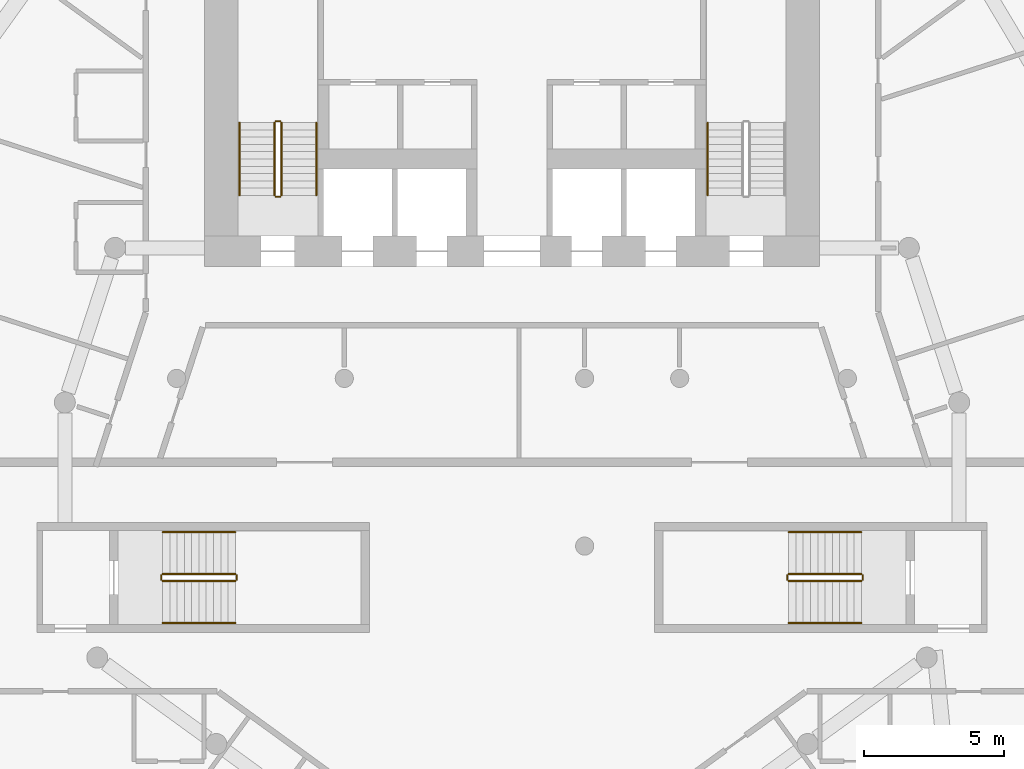
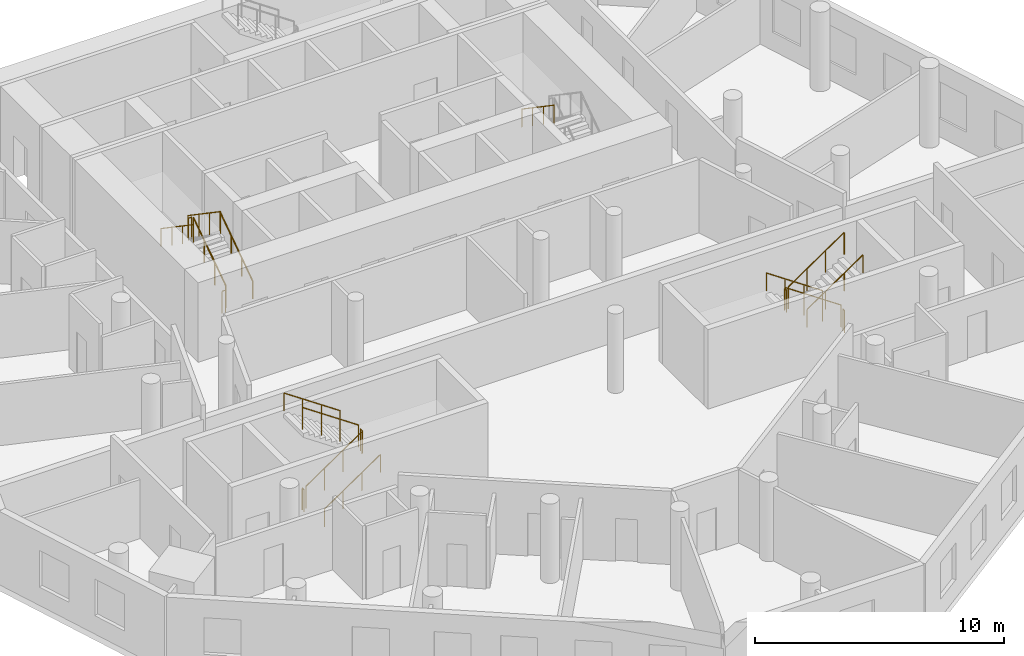
# One storey, part 8 of 9: 19 railings.
"""IFC4 building model written with IfcOpenShell, lengths in metres."""

from ifc_helpers import new_model, si_unit, direction, frame, origin, origin_2d, place, context, subcontext, project, spatial, circle, extrude, material, type_object, element, save


model = new_model("IFC4")

# Units and contexts
model_context = context("Model", 3, precision=1e-05, world=origin(), true_north=direction((0.0, 1.0)))
body_context = subcontext(model_context, "Body", "Model", "MODEL_VIEW")
ifc_project = project(units=[si_unit("LENGTHUNIT", "METRE"), si_unit("AREAUNIT", "SQUARE_METRE"), si_unit("VOLUMEUNIT", "CUBIC_METRE"), si_unit("PLANEANGLEUNIT", "RADIAN"), si_unit("MASSUNIT", "GRAM", prefix="KILO")], contexts=[model_context])

# Site, building, storey
site_placement = place(None, origin())
site = spatial("IfcSite", under=ifc_project, at=site_placement, CompositionType="ELEMENT")
building_placement = place(site_placement, origin())
building = spatial("IfcBuilding", under=site, at=building_placement, Name="White Candle Pilgrim Tower", CompositionType="ELEMENT")
storey_placement = place(building_placement, frame((0.0, 0.0, 118.10009765625)))
storey = spatial("IfcBuildingStorey", under=building, at=storey_placement, Name="L26", CompositionType="ELEMENT", Elevation=118.10009765625)

# Railings
ifc_material = material(Name="Stainless steel", Category="steel")
railing_type_1 = type_object("IfcRailingType", Name="Stair guard stainless steel 1100 mm", PredefinedType="GUARDRAIL", material=ifc_material)
railing_1_placement = place(storey_placement, frame((61.75, 73.550048828125, 0.17724609375)))
element("IfcRailing", 1, at=railing_1_placement, inside=storey, type_object=railing_type_1, Name="L26 ST1 stair guard 1", PredefinedType="GUARDRAIL", context=body_context, shape_type="SweptSolid", body=[
    extrude(circle(Radius=0.02392578125, at=origin_2d()), frame((0.0, 0.0, 1.076171875), z_axis=(0.0, 0.826215852431, 0.563353676824), x_axis=(-1.0, 0.0, 0.0)), (0.0, 0.0, 1.0), 3.146728515625),
    extrude(circle(Radius=0.02099609375, at=origin_2d()), origin(), (0.0, 0.0, 1.0), 1.052001953125),
    extrude(circle(Radius=0.02099609375, at=origin_2d()), frame((0.0, 0.86669921875, 0.5908203125)), (0.0, 0.0, 1.0), 1.052001953125),
    extrude(circle(Radius=0.02099609375, at=origin_2d()), frame((0.0, 1.733154296875, 1.181884765625)), (0.0, 0.0, 1.0), 1.052001953125),
    extrude(circle(Radius=0.02099609375, at=origin_2d()), frame((0.0, 2.599853515625, 1.772705078125)), (0.0, 0.0, 1.0), 1.052001953125),
])
railing_2_placement = place(storey_placement, frame((61.699951171875, 76.199951171875, 1.949951171875)))
element("IfcRailing", 2, at=railing_2_placement, inside=storey, type_object=railing_type_1, Name="L26 ST1 stair guard 2", PredefinedType="GUARDRAIL", context=body_context, shape_type="SweptSolid", body=[
    extrude(circle(Radius=0.02392578125, at=origin_2d()), frame((0.0, 0.0, 1.076171875), z_axis=(-1.0, 0.0, 0.0), x_axis=(0.0, -1.0, 0.0)), (0.0, 0.0, 1.0), 0.14990234375),
    extrude(circle(Radius=0.02099609375, at=origin_2d()), origin(), (0.0, 0.0, 1.0), 1.052001953125),
    extrude(circle(Radius=0.02099609375, at=origin_2d()), frame((-0.14990234375, 0.0, 0.0)), (0.0, 0.0, 1.0), 1.052001953125),
])
railing_3_placement = place(storey_placement, frame((61.5, 76.14990234375, 2.127197265625)))
element("IfcRailing", 3, at=railing_3_placement, inside=storey, type_object=railing_type_1, Name="L26 ST1 stair guard 3", PredefinedType="GUARDRAIL", context=body_context, shape_type="SweptSolid", body=[
    extrude(circle(Radius=0.02392578125, at=origin_2d()), frame((0.0, 0.0, 1.076171875), z_axis=(0.0, -0.826215852431, 0.563353676824), x_axis=(1.0, 0.0, 0.0)), (0.0, 0.0, 1.0), 3.146728515625),
    extrude(circle(Radius=0.02099609375, at=origin_2d()), origin(), (0.0, 0.0, 1.0), 1.052001953125),
    extrude(circle(Radius=0.02099609375, at=origin_2d()), frame((0.0, -0.86669921875, 0.5908203125)), (0.0, 0.0, 1.0), 1.052001953125),
    extrude(circle(Radius=0.02099609375, at=origin_2d()), frame((0.0, -1.733154296875, 1.181884765625)), (0.0, 0.0, 1.0), 1.052001953125),
    extrude(circle(Radius=0.02099609375, at=origin_2d()), frame((0.0, -2.599853515625, 1.772705078125)), (0.0, 0.0, 1.0), 1.052001953125),
])
railing_4_placement = place(storey_placement, frame((61.699951171875, 73.5, 0.0)))
element("IfcRailing", 4, at=railing_4_placement, inside=storey, type_object=railing_type_1, Name="L26 ST1 stair guard 4", PredefinedType="GUARDRAIL", context=body_context, shape_type="SweptSolid", body=[
    extrude(circle(Radius=0.02392578125, at=origin_2d()), frame((0.0, 0.0, 1.076171875), z_axis=(-1.0, 0.0, 0.0), x_axis=(0.0, -1.0, 0.0)), (0.0, 0.0, 1.0), 0.14990234375),
    extrude(circle(Radius=0.02099609375, at=origin_2d()), origin(), (0.0, 0.0, 1.0), 1.052001953125),
    extrude(circle(Radius=0.02099609375, at=origin_2d()), frame((-0.14990234375, 0.0, 0.0)), (0.0, 0.0, 1.0), 1.052001953125),
])
railing_5_placement = place(storey_placement, frame((82.5, 60.0, 0.17724609375)))
element("IfcRailing", 5, at=railing_5_placement, inside=storey, type_object=railing_type_1, Name="L26 ST4 stair guard 1", PredefinedType="GUARDRAIL", context=body_context, shape_type="SweptSolid", body=[
    extrude(circle(Radius=0.02392578125, at=origin_2d()), frame((0.0, 0.0, 1.076171875), z_axis=(-0.826240473404, 0.0, 0.563317565952), x_axis=(0.0, -1.0, 0.0)), (0.0, 0.0, 1.0), 3.14697265625),
    extrude(circle(Radius=0.02099609375, at=origin_2d()), origin(), (0.0, 0.0, 1.0), 1.052001953125),
    extrude(circle(Radius=0.02099609375, at=origin_2d()), frame((-0.86669921875, 0.0, 0.5908203125)), (0.0, 0.0, 1.0), 1.052001953125),
    extrude(circle(Radius=0.02099609375, at=origin_2d()), frame((-1.7333984375, 0.0, 1.181884765625)), (0.0, 0.0, 1.0), 1.052001953125),
    extrude(circle(Radius=0.02099609375, at=origin_2d()), frame((-2.60009765625, 0.0, 1.772705078125)), (0.0, 0.0, 1.0), 1.052001953125),
])
railing_6_placement = place(storey_placement, frame((79.85009765625, 59.949951171875, 1.949951171875)))
element("IfcRailing", 6, at=railing_6_placement, inside=storey, type_object=railing_type_1, Name="L26 ST4 stair guard 2", PredefinedType="GUARDRAIL", context=body_context, shape_type="SweptSolid", body=[
    extrude(circle(Radius=0.02392578125, at=origin_2d()), frame((0.0, 0.0, 1.076171875), z_axis=(0.0, -1.0, 0.0), x_axis=(1.0, 0.0, 0.0)), (0.0, 0.0, 1.0), 0.14990234375),
    extrude(circle(Radius=0.02099609375, at=origin_2d()), origin(), (0.0, 0.0, 1.0), 1.052001953125),
    extrude(circle(Radius=0.02099609375, at=origin_2d()), frame((0.0, -0.14990234375, 0.0)), (0.0, 0.0, 1.0), 1.052001953125),
])
railing_7_placement = place(storey_placement, frame((79.89990234375, 59.75, 2.127197265625)))
element("IfcRailing", 7, at=railing_7_placement, inside=storey, type_object=railing_type_1, Name="L26 ST4 stair guard 3", PredefinedType="GUARDRAIL", context=body_context, shape_type="SweptSolid", body=[
    extrude(circle(Radius=0.02392578125, at=origin_2d()), frame((0.0, 0.0, 1.076171875), z_axis=(0.826240473404, 0.0, 0.563317565952), x_axis=(0.0, 1.0, 0.0)), (0.0, 0.0, 1.0), 3.14697265625),
    extrude(circle(Radius=0.02099609375, at=origin_2d()), origin(), (0.0, 0.0, 1.0), 1.052001953125),
    extrude(circle(Radius=0.02099609375, at=origin_2d()), frame((0.86669921875, 0.0, 0.5908203125)), (0.0, 0.0, 1.0), 1.052001953125),
    extrude(circle(Radius=0.02099609375, at=origin_2d()), frame((1.7333984375, 0.0, 1.181884765625)), (0.0, 0.0, 1.0), 1.052001953125),
    extrude(circle(Radius=0.02099609375, at=origin_2d()), frame((2.60009765625, 0.0, 1.772705078125)), (0.0, 0.0, 1.0), 1.052001953125),
])
railing_8_placement = place(storey_placement, frame((82.550048828125, 59.949951171875, 0.0)))
element("IfcRailing", 8, at=railing_8_placement, inside=storey, type_object=railing_type_1, Name="L26 ST4 stair guard 4", PredefinedType="GUARDRAIL", context=body_context, shape_type="SweptSolid", body=[
    extrude(circle(Radius=0.02392578125, at=origin_2d()), frame((0.0, 0.0, 1.076171875), z_axis=(0.0, -1.0, 0.0), x_axis=(1.0, 0.0, 0.0)), (0.0, 0.0, 1.0), 0.14990234375),
    extrude(circle(Radius=0.02099609375, at=origin_2d()), origin(), (0.0, 0.0, 1.0), 1.052001953125),
    extrude(circle(Radius=0.02099609375, at=origin_2d()), frame((0.0, -0.14990234375, 0.0)), (0.0, 0.0, 1.0), 1.052001953125),
])
railing_9_placement = place(storey_placement, frame((57.5, 59.75, 0.17724609375)))
element("IfcRailing", 9, at=railing_9_placement, inside=storey, type_object=railing_type_1, Name="L26 ST5 stair guard 1", PredefinedType="GUARDRAIL", context=body_context, shape_type="SweptSolid", body=[
    extrude(circle(Radius=0.02392578125, at=origin_2d()), frame((0.0, 0.0, 1.076171875), z_axis=(0.826240473404, 0.0, 0.563317565952), x_axis=(0.0, 1.0, 0.0)), (0.0, 0.0, 1.0), 3.14697265625),
    extrude(circle(Radius=0.02099609375, at=origin_2d()), origin(), (0.0, 0.0, 1.0), 1.052001953125),
    extrude(circle(Radius=0.02099609375, at=origin_2d()), frame((0.86669921875, 0.0, 0.5908203125)), (0.0, 0.0, 1.0), 1.052001953125),
    extrude(circle(Radius=0.02099609375, at=origin_2d()), frame((1.7333984375, 0.0, 1.181884765625)), (0.0, 0.0, 1.0), 1.052001953125),
    extrude(circle(Radius=0.02099609375, at=origin_2d()), frame((2.60009765625, 0.0, 1.772705078125)), (0.0, 0.0, 1.0), 1.052001953125),
])
railing_10_placement = place(storey_placement, frame((60.14990234375, 59.800048828125, 1.949951171875)))
element("IfcRailing", 10, at=railing_10_placement, inside=storey, type_object=railing_type_1, Name="L26 ST5 stair guard 2", PredefinedType="GUARDRAIL", context=body_context, shape_type="SweptSolid", body=[
    extrude(circle(Radius=0.02392578125, at=origin_2d()), frame((0.0, 0.0, 1.076171875), z_axis=(0.0, 1.0, 0.0), x_axis=(-1.0, 0.0, 0.0)), (0.0, 0.0, 1.0), 0.14990234375),
    extrude(circle(Radius=0.02099609375, at=origin_2d()), origin(), (0.0, 0.0, 1.0), 1.052001953125),
    extrude(circle(Radius=0.02099609375, at=origin_2d()), frame((0.0, 0.14990234375, 0.0)), (0.0, 0.0, 1.0), 1.052001953125),
])
railing_11_placement = place(storey_placement, frame((60.10009765625, 60.0, 2.127197265625)))
element("IfcRailing", 11, at=railing_11_placement, inside=storey, type_object=railing_type_1, Name="L26 ST5 stair guard 3", PredefinedType="GUARDRAIL", context=body_context, shape_type="SweptSolid", body=[
    extrude(circle(Radius=0.02392578125, at=origin_2d()), frame((0.0, 0.0, 1.076171875), z_axis=(-0.826240473404, 0.0, 0.563317565952), x_axis=(0.0, -1.0, 0.0)), (0.0, 0.0, 1.0), 3.14697265625),
    extrude(circle(Radius=0.02099609375, at=origin_2d()), origin(), (0.0, 0.0, 1.0), 1.052001953125),
    extrude(circle(Radius=0.02099609375, at=origin_2d()), frame((-0.86669921875, 0.0, 0.5908203125)), (0.0, 0.0, 1.0), 1.052001953125),
    extrude(circle(Radius=0.02099609375, at=origin_2d()), frame((-1.7333984375, 0.0, 1.181884765625)), (0.0, 0.0, 1.0), 1.052001953125),
    extrude(circle(Radius=0.02099609375, at=origin_2d()), frame((-2.60009765625, 0.0, 1.772705078125)), (0.0, 0.0, 1.0), 1.052001953125),
])
railing_12_placement = place(storey_placement, frame((57.449951171875, 59.800048828125, 0.0)))
element("IfcRailing", 12, at=railing_12_placement, inside=storey, type_object=railing_type_1, Name="L26 ST5 stair guard 4", PredefinedType="GUARDRAIL", context=body_context, shape_type="SweptSolid", body=[
    extrude(circle(Radius=0.02392578125, at=origin_2d()), frame((0.0, 0.0, 1.076171875), z_axis=(0.0, 1.0, 0.0), x_axis=(-1.0, 0.0, 0.0)), (0.0, 0.0, 1.0), 0.14990234375),
    extrude(circle(Radius=0.02099609375, at=origin_2d()), origin(), (0.0, 0.0, 1.0), 1.052001953125),
    extrude(circle(Radius=0.02099609375, at=origin_2d()), frame((0.0, 0.14990234375, 0.0)), (0.0, 0.0, 1.0), 1.052001953125),
])
railing_type_2 = type_object("IfcRailingType", Name="Stair handrail stainless steel", PredefinedType="HANDRAIL", material=ifc_material)
railing_13_placement = place(storey_placement, frame((63.0, 73.550048828125, 0.17724609375)))
element("IfcRailing", 13, at=railing_13_placement, inside=storey, type_object=railing_type_2, Name="L26 ST1 stair handrail 1", PredefinedType="HANDRAIL", context=body_context, shape_type="SweptSolid", body=[
    extrude(circle(Radius=0.02392578125, at=origin_2d()), frame((0.0, 0.0, 0.8759765625), z_axis=(0.0, 0.826215852431, 0.563353676824), x_axis=(-1.0, 0.0, 0.0)), (0.0, 0.0, 1.0), 3.146728515625),
    extrude(circle(Radius=0.02099609375, at=origin_2d()), origin(), (0.0, 0.0, 1.0), 0.851806640625),
    extrude(circle(Radius=0.02099609375, at=origin_2d()), frame((0.0, 0.86669921875, 0.5908203125)), (0.0, 0.0, 1.0), 0.851806640625),
    extrude(circle(Radius=0.02099609375, at=origin_2d()), frame((0.0, 1.733154296875, 1.181884765625)), (0.0, 0.0, 1.0), 0.851806640625),
    extrude(circle(Radius=0.02099609375, at=origin_2d()), frame((0.0, 2.599853515625, 1.772705078125)), (0.0, 0.0, 1.0), 0.851806640625),
])
for number, where, name in (
    (14, (60.25, 76.14990234375, 2.127197265625), "L26 ST1 stair handrail 2"),
    (15, (77.0, 76.14990234375, 2.127197265625), "L26 ST2 stair handrail 2"),
):
    element("IfcRailing", number, at=place(storey_placement, frame(where)), inside=storey, type_object=railing_type_2, Name=name, PredefinedType="HANDRAIL", context=body_context, shape_type="SweptSolid", body=[
        extrude(circle(Radius=0.02392578125, at=origin_2d()), frame((0.0, 0.0, 0.8759765625), z_axis=(0.0, -0.826215852431, 0.563353676824), x_axis=(1.0, 0.0, 0.0)), (0.0, 0.0, 1.0), 3.146728515625),
        extrude(circle(Radius=0.02099609375, at=origin_2d()), origin(), (0.0, 0.0, 1.0), 0.851806640625),
        extrude(circle(Radius=0.02099609375, at=origin_2d()), frame((0.0, -0.86669921875, 0.5908203125)), (0.0, 0.0, 1.0), 0.851806640625),
        extrude(circle(Radius=0.02099609375, at=origin_2d()), frame((0.0, -1.733154296875, 1.181884765625)), (0.0, 0.0, 1.0), 0.851806640625),
        extrude(circle(Radius=0.02099609375, at=origin_2d()), frame((0.0, -2.599853515625, 1.772705078125)), (0.0, 0.0, 1.0), 0.851806640625),
    ])
railing_14_placement = place(storey_placement, frame((82.5, 61.5, 0.17724609375)))
element("IfcRailing", 16, at=railing_14_placement, inside=storey, type_object=railing_type_2, Name="L26 ST4 stair handrail 1", PredefinedType="HANDRAIL", context=body_context, shape_type="SweptSolid", body=[
    extrude(circle(Radius=0.02392578125, at=origin_2d()), frame((0.0, 0.0, 0.8759765625), z_axis=(-0.826240473404, 0.0, 0.563317565952), x_axis=(0.0, -1.0, 0.0)), (0.0, 0.0, 1.0), 3.14697265625),
    extrude(circle(Radius=0.02099609375, at=origin_2d()), origin(), (0.0, 0.0, 1.0), 0.851806640625),
    extrude(circle(Radius=0.02099609375, at=origin_2d()), frame((-0.86669921875, 0.0, 0.5908203125)), (0.0, 0.0, 1.0), 0.851806640625),
    extrude(circle(Radius=0.02099609375, at=origin_2d()), frame((-1.7333984375, 0.0, 1.181884765625)), (0.0, 0.0, 1.0), 0.851806640625),
    extrude(circle(Radius=0.02099609375, at=origin_2d()), frame((-2.60009765625, 0.0, 1.772705078125)), (0.0, 0.0, 1.0), 0.851806640625),
])
for number, where, name in (
    (17, (79.89990234375, 58.25, 2.127197265625), "L26 ST4 stair handrail 2"),
    (18, (57.5, 58.25, 0.17724609375), "L26 ST5 stair handrail 1"),
):
    element("IfcRailing", number, at=place(storey_placement, frame(where)), inside=storey, type_object=railing_type_2, Name=name, PredefinedType="HANDRAIL", context=body_context, shape_type="SweptSolid", body=[
        extrude(circle(Radius=0.02392578125, at=origin_2d()), frame((0.0, 0.0, 0.8759765625), z_axis=(0.826240473404, 0.0, 0.563317565952), x_axis=(0.0, 1.0, 0.0)), (0.0, 0.0, 1.0), 3.14697265625),
        extrude(circle(Radius=0.02099609375, at=origin_2d()), origin(), (0.0, 0.0, 1.0), 0.851806640625),
        extrude(circle(Radius=0.02099609375, at=origin_2d()), frame((0.86669921875, 0.0, 0.5908203125)), (0.0, 0.0, 1.0), 0.851806640625),
        extrude(circle(Radius=0.02099609375, at=origin_2d()), frame((1.7333984375, 0.0, 1.181884765625)), (0.0, 0.0, 1.0), 0.851806640625),
        extrude(circle(Radius=0.02099609375, at=origin_2d()), frame((2.60009765625, 0.0, 1.772705078125)), (0.0, 0.0, 1.0), 0.851806640625),
    ])
railing_15_placement = place(storey_placement, frame((60.10009765625, 61.5, 2.127197265625)))
element("IfcRailing", 19, at=railing_15_placement, inside=storey, type_object=railing_type_2, Name="L26 ST5 stair handrail 2", PredefinedType="HANDRAIL", context=body_context, shape_type="SweptSolid", body=[
    extrude(circle(Radius=0.02392578125, at=origin_2d()), frame((0.0, 0.0, 0.8759765625), z_axis=(-0.826240473404, 0.0, 0.563317565952), x_axis=(0.0, -1.0, 0.0)), (0.0, 0.0, 1.0), 3.14697265625),
    extrude(circle(Radius=0.02099609375, at=origin_2d()), origin(), (0.0, 0.0, 1.0), 0.851806640625),
    extrude(circle(Radius=0.02099609375, at=origin_2d()), frame((-0.86669921875, 0.0, 0.5908203125)), (0.0, 0.0, 1.0), 0.851806640625),
    extrude(circle(Radius=0.02099609375, at=origin_2d()), frame((-1.7333984375, 0.0, 1.181884765625)), (0.0, 0.0, 1.0), 0.851806640625),
    extrude(circle(Radius=0.02099609375, at=origin_2d()), frame((-2.60009765625, 0.0, 1.772705078125)), (0.0, 0.0, 1.0), 0.851806640625),
])

save(model, "model.ifc")
